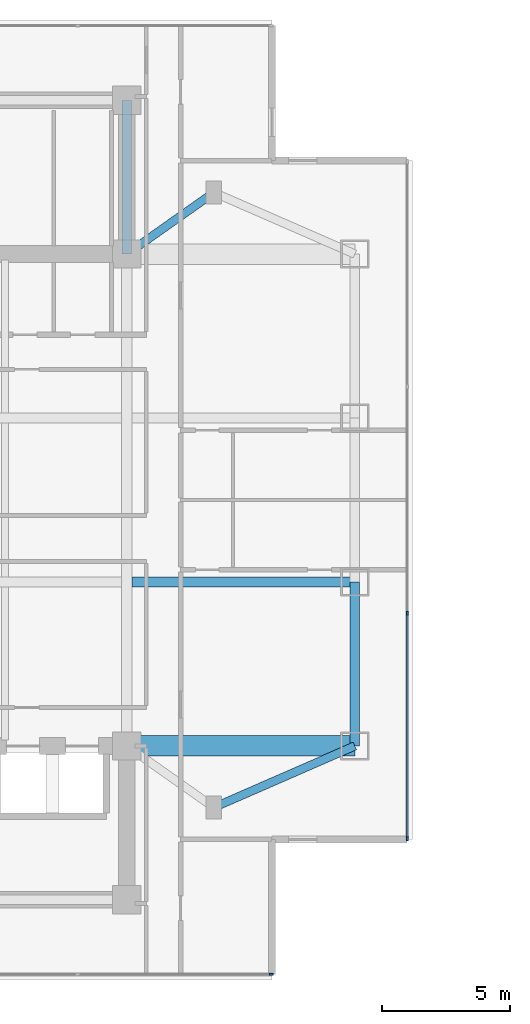
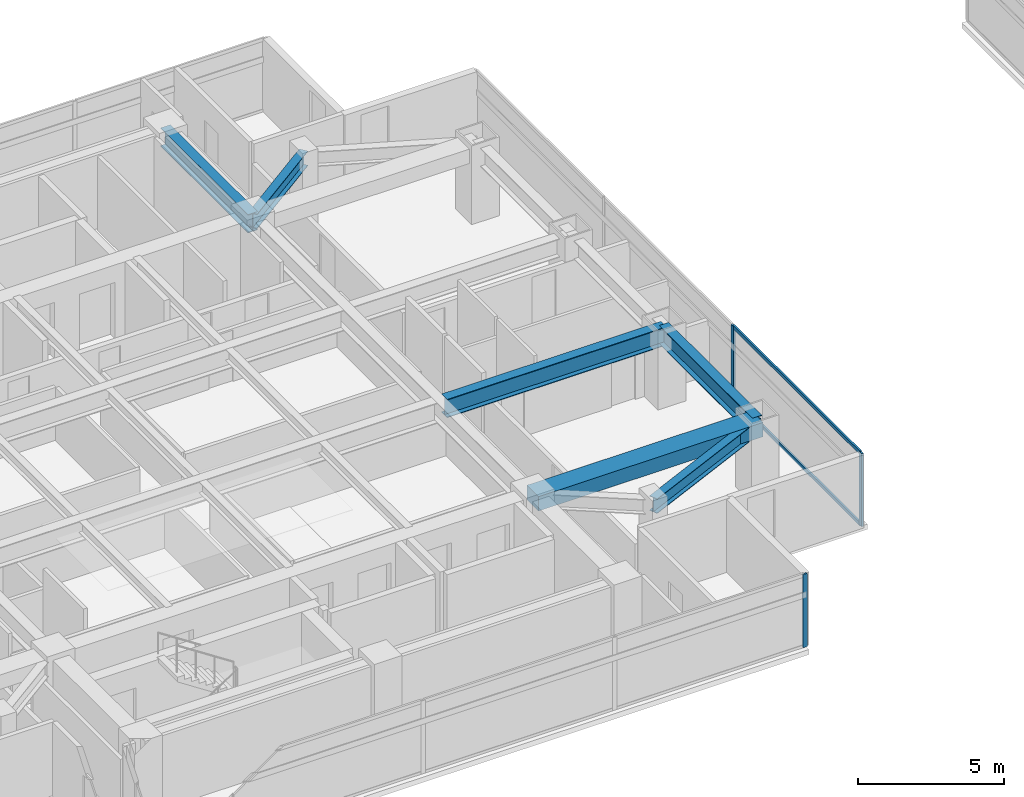
# One storey, part 4 of 27: 6 beams, 5 members, 2 elements without a shape of their own.
"""IFC4 building model written with IfcOpenShell, lengths in metres."""

from ifc_helpers import new_model, si_unit, direction, frame, origin, origin_2d, place, context, subcontext, project, spatial, rectangle, i_section, extrude, material, material_profile, profile_set, type_object, element, aggregate, save


model = new_model("IFC4")

# Units and contexts
model_context = context("Model", 3, precision=1e-05, world=origin(), true_north=direction((0.0, 1.0)))
body_context = subcontext(model_context, "Body", "Model", "MODEL_VIEW")
ifc_project = project(units=[si_unit("LENGTHUNIT", "METRE"), si_unit("AREAUNIT", "SQUARE_METRE"), si_unit("VOLUMEUNIT", "CUBIC_METRE"), si_unit("PLANEANGLEUNIT", "RADIAN"), si_unit("MASSUNIT", "GRAM", prefix="KILO")], contexts=[model_context])

# Site, building, storey
site_placement = place(None, origin())
site = spatial("IfcSite", under=ifc_project, at=site_placement, CompositionType="ELEMENT")
building_placement = place(site_placement, origin())
building = spatial("IfcBuilding", under=site, at=building_placement, Name="Mirazonda Arch Towers", CompositionType="ELEMENT")
storey_placement = place(building_placement, frame((0.0, 0.0, 124.699951171875)))
storey = spatial("IfcBuildingStorey", under=building, at=storey_placement, Name="L35", CompositionType="ELEMENT", Elevation=124.699951171875)

# Beams
ifc_material_1 = material(Name="Steel ASTM A992 Grade 50", Category="steel")
ifc_material_profile_1 = material_profile(ifc_material_1, i_section(OverallWidth=0.381103515625, OverallDepth=0.77294921875, WebThickness=0.0166015625, FlangeThickness=0.027099609375, at=origin_2d()), Name="W30X173")
ifc_profile_set_1 = profile_set([ifc_material_profile_1], Name="Steel ASTM A992 Grade 50")
beam_type_1 = type_object("IfcBeamType", Name="BM-EXT-W30X173", PredefinedType="USERDEFINED", material=ifc_profile_set_1)
beam_1_placement = place(storey_placement, frame((38.89990234375, 18.39990234375, 2.693603515625), z_axis=(0.0, 1.0, 0.0), x_axis=(-1.0, 0.0, 0.0)))
element("IfcBeam", 1, at=beam_1_placement, inside=storey, type_object=beam_type_1, Name="L35 Floor Beam BM-T1-L35-NS-E-18", ObjectType="GIRDER", PredefinedType="USERDEFINED", context=body_context, shape_type="SweptSolid", body=[
    extrude(i_section(OverallWidth=0.381103515625, OverallDepth=0.77294921875, WebThickness=0.0166015625, FlangeThickness=0.027099609375, at=origin_2d()), origin(), (0.0, 0.0, 1.0), 6.400146484375),
])
ifc_material_profile_2 = material_profile(ifc_material_1, i_section(OverallWidth=0.324951171875, OverallDepth=0.615966796875, WebThickness=0.013916015625, FlangeThickness=0.021484375, at=origin_2d()), Name="W24X117")
ifc_profile_set_2 = profile_set([ifc_material_profile_2], Name="Steel ASTM A992 Grade 50")
beam_type_2 = type_object("IfcBeamType", Name="BM-INT-W24X117", PredefinedType="BEAM", material=ifc_profile_set_2)
beam_2_placement = place(storey_placement, frame((33.39990234375, 16.0, 2.77197265625), z_axis=(0.916545343703, 0.399930785183, 0.0), x_axis=(-0.399930785183, 0.916545343703, 0.0)))
element("IfcBeam", 2, at=beam_2_placement, inside=storey, type_object=beam_type_2, Name="L35 Floor Beam BM-T1-L35-PL-SE2", PredefinedType="BEAM", context=body_context, shape_type="SweptSolid", body=[
    extrude(i_section(OverallWidth=0.324951171875, OverallDepth=0.615966796875, WebThickness=0.013916015625, FlangeThickness=0.021484375, at=origin_2d()), origin(), (0.0, 0.0, 1.0), 6.000732421875),
])
beam_3_placement = place(storey_placement, frame((33.39990234375, 40.0, 2.77197265625), z_axis=(-0.816971114901, -0.576678591087, 0.0), x_axis=(0.576678591087, -0.816971114901, 0.0)))
element("IfcBeam", 3, at=beam_3_placement, inside=storey, type_object=beam_type_2, Name="L35 Floor Beam BM-T1-L35-PL-NE1", PredefinedType="BEAM", context=body_context, shape_type="SweptSolid", body=[
    extrude(i_section(OverallWidth=0.324951171875, OverallDepth=0.615966796875, WebThickness=0.013916015625, FlangeThickness=0.021484375, at=origin_2d()), origin(), (0.0, 0.0, 1.0), 4.16162109375),
])
ifc_material_profile_3 = material_profile(ifc_material_1, i_section(OverallWidth=0.381103515625, OverallDepth=0.77294921875, WebThickness=0.0166015625, FlangeThickness=0.027099609375, at=origin_2d()), Name="W30X173")
ifc_profile_set_3 = profile_set([ifc_material_profile_3], Name="Steel ASTM A992 Grade 50")
beam_type_3 = type_object("IfcBeamType", Name="BM-INT-W30X173", PredefinedType="USERDEFINED", material=ifc_profile_set_3)
beam_4_placement = place(storey_placement, frame((30.199951171875, 24.800048828125, 2.693603515625), z_axis=(1.0, 0.0, 0.0), x_axis=(0.0, 1.0, 0.0)))
element("IfcBeam", 4, at=beam_4_placement, inside=storey, type_object=beam_type_3, Name="L35 Floor Beam BM-T1-L35-GE2", ObjectType="GIRDER", PredefinedType="USERDEFINED", context=body_context, shape_type="SweptSolid", body=[
    extrude(i_section(OverallWidth=0.381103515625, OverallDepth=0.77294921875, WebThickness=0.0166015625, FlangeThickness=0.027099609375, at=origin_2d()), origin(), (0.0, 0.0, 1.0), 8.699951171875),
])
beam_5_placement = place(storey_placement, frame((30.0, 37.60009765625, 2.693603515625), z_axis=(0.0, 1.0, 0.0), x_axis=(-1.0, 0.0, 0.0)))
element("IfcBeam", 5, at=beam_5_placement, inside=storey, type_object=beam_type_3, Name="L35 Floor Beam BM-T1-L35-CNE", ObjectType="GIRDER", PredefinedType="USERDEFINED", context=body_context, shape_type="SweptSolid", body=[
    extrude(i_section(OverallWidth=0.381103515625, OverallDepth=0.77294921875, WebThickness=0.0166015625, FlangeThickness=0.027099609375, at=origin_2d()), origin(), (0.0, 0.0, 1.0), 6.0),
])
ifc_material_2 = material(Name="Concrete C60/75", Category="concrete")
ifc_material_profile_4 = material_profile(ifc_material_2, rectangle(XDim=0.800048828125, YDim=0.60009765625, at=origin_2d()), Name="RCCB800x600")
ifc_profile_set_4 = profile_set([ifc_material_profile_4], Name="Concrete C60/75")
beam_type_4 = type_object("IfcBeamType", Name="CB-INT-RCCB800x600", PredefinedType="SPANDREL", material=ifc_profile_set_4)
beam_6_placement = place(storey_placement, frame((30.0, 18.39990234375, 2.780029296875), z_axis=(1.0, 0.0, 0.0), x_axis=(0.0, 1.0, 0.0)))
element("IfcBeam", 6, at=beam_6_placement, inside=storey, type_object=beam_type_4, Name="L35 Floor Beam CBC-T1-L35-SE", PredefinedType="SPANDREL", context=body_context, shape_type="SweptSolid", body=[
    extrude(rectangle(XDim=0.800048828125, YDim=0.60009765625, at=origin_2d()), origin(), (0.0, 0.0, 1.0), 8.89990234375),
])

# Curtain wall, member
ifc_material_3 = material(Name="Anodised Aluminium and Low-E Glass", Category="aluminium")
curtain_wall_type = type_object("IfcCurtainWallType", Name="CW-HTL-UNIT", PredefinedType="NOTDEFINED", material=ifc_material_3)
curtain_wall_1_placement = place(storey_placement, origin())
curtain_wall_1 = element("IfcCurtainWall", 7, at=curtain_wall_1_placement, inside=storey, type_object=curtain_wall_type, Name="L35 T1 S Facade CW-L35-T1-S", PredefinedType="NOTDEFINED")
ifc_material_4 = material(Name="Anodised Aluminium Alloy", Category="aluminium")
ifc_material_profile_5 = material_profile(ifc_material_4, rectangle(XDim=0.074951171875, YDim=0.1650390625, at=origin_2d()), Name="ALU-MULL-75x165")
ifc_profile_set_5 = profile_set([ifc_material_profile_5], Name="Anodised Aluminium Alloy")
member_type_1 = type_object("IfcMemberType", Name="MULL-CW-HTL-UNIT", PredefinedType="MULLION", material=ifc_profile_set_5)
member_1_placement = place(storey_placement, frame((35.632568359375, 9.48388671875, 0.0), z_axis=(0.0, 0.0, 1.0), x_axis=(0.0, -1.0, 0.0)))
member_1 = element("IfcMember", 8, at=member_1_placement, type_object=member_type_1, Name="CW-112 mullion 1", PredefinedType="MULLION", context=body_context, shape_type="SweptSolid", body=[
    extrude(rectangle(XDim=0.074951171875, YDim=0.1650390625, at=origin_2d()), origin(), (0.0, 0.0, 1.0), 3.06005859375),
])
aggregate(curtain_wall_1, [member_1])

# Curtain wall, members
curtain_wall_2_placement = place(storey_placement, origin())
curtain_wall_2 = element("IfcCurtainWall", 9, at=curtain_wall_2_placement, inside=storey, type_object=curtain_wall_type, Name="L35 T1 E Facade CW-L35-T1-E", PredefinedType="NOTDEFINED")
member_2_placement = place(storey_placement, frame((40.93994140625, 14.79150390625, 0.0), z_axis=(0.0, 0.0, 1.0), x_axis=(-1.0, 0.0, 0.0)))
member_2 = element("IfcMember", 10, at=member_2_placement, type_object=member_type_1, Name="CW-112 mullion 1", PredefinedType="MULLION", context=body_context, shape_type="SweptSolid", body=[
    extrude(rectangle(XDim=0.074951171875, YDim=0.1650390625, at=origin_2d()), origin(), (0.0, 0.0, 1.0), 3.06005859375),
])
member_3_placement = place(storey_placement, frame((40.93994140625, 23.584716796875, 0.0), z_axis=(0.0, 0.0, 1.0), x_axis=(-1.0, 0.0, 0.0)))
member_3 = element("IfcMember", 11, at=member_3_placement, type_object=member_type_1, Name="CW-112 mullion 2", PredefinedType="MULLION", context=body_context, shape_type="SweptSolid", body=[
    extrude(rectangle(XDim=0.074951171875, YDim=0.1650390625, at=origin_2d()), origin(), (0.0, 0.0, 1.0), 3.06005859375),
])
ifc_material_profile_6 = material_profile(ifc_material_4, rectangle(XDim=0.074951171875, YDim=0.14501953125, at=origin_2d()), Name="ALU-TRAN-75x145")
ifc_profile_set_6 = profile_set([ifc_material_profile_6], Name="Anodised Aluminium Alloy")
member_type_2 = type_object("IfcMemberType", Name="TRAN-CW-HTL-UNIT", PredefinedType="USERDEFINED", material=ifc_profile_set_6)
member_4_placement = place(storey_placement, frame((40.93994140625, 14.8291015625, 0.03759765625), z_axis=(0.0, 1.0, 0.0), x_axis=(-1.0, 0.0, 0.0)))
member_4 = element("IfcMember", 12, at=member_4_placement, type_object=member_type_2, Name="CW-112 transom 1.1", ObjectType="TRANSOM", PredefinedType="USERDEFINED", context=body_context, shape_type="SweptSolid", body=[
    extrude(rectangle(XDim=0.074951171875, YDim=0.14501953125, at=origin_2d()), origin(), (0.0, 0.0, 1.0), 8.718017578125),
])
member_5_placement = place(storey_placement, frame((40.93994140625, 14.8291015625, 3.0224609375), z_axis=(0.0, 1.0, 0.0), x_axis=(-1.0, 0.0, 0.0)))
member_5 = element("IfcMember", 13, at=member_5_placement, type_object=member_type_2, Name="CW-112 transom 1.2", ObjectType="TRANSOM", PredefinedType="USERDEFINED", context=body_context, shape_type="SweptSolid", body=[
    extrude(rectangle(XDim=0.074951171875, YDim=0.14501953125, at=origin_2d()), origin(), (0.0, 0.0, 1.0), 8.718017578125),
])
aggregate(curtain_wall_2, [member_2, member_3, member_4, member_5])

save(model, "model.ifc")
